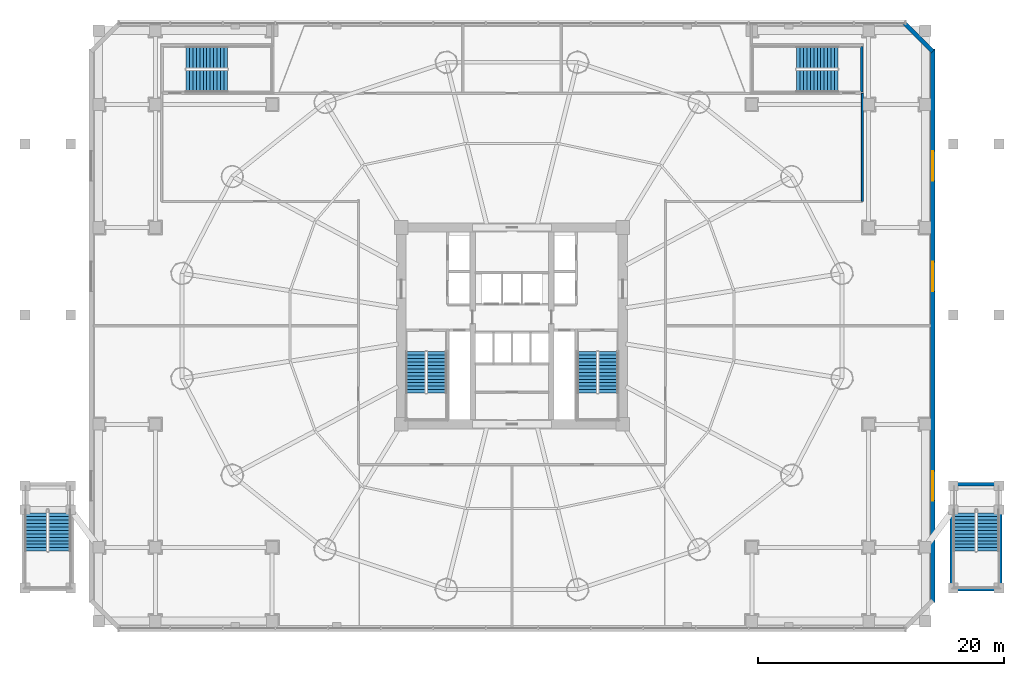
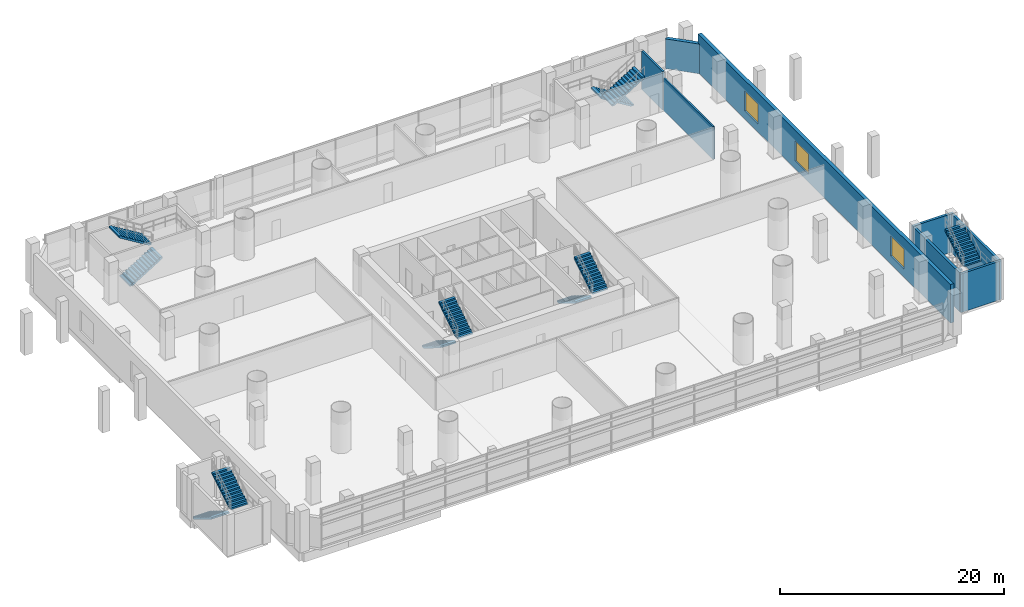
# One storey, part 24 of 36: 12 stair flights, 8 walls, 3 windows, 3 openings, 6 elements without a shape of their own.
"""IFC4 building model written with IfcOpenShell, lengths in metres."""

from ifc_helpers import new_model, si_unit, direction, frame, frame_2d, origin, place, context, subcontext, project, spatial, polyline, rectangle, outline, extrude, source, transform, mapped, material, layer, layer_set, type_object, element, fill, aggregate, save


model = new_model("IFC4")

# Units and contexts
model_context = context("Model", 3, precision=1e-05, world=origin(), true_north=direction((-0.2419218956, 0.970295726276)))
body_context = subcontext(model_context, "Body", "Model", "MODEL_VIEW")
ifc_project = project(units=[si_unit("LENGTHUNIT", "METRE"), si_unit("AREAUNIT", "SQUARE_METRE"), si_unit("VOLUMEUNIT", "CUBIC_METRE"), si_unit("PLANEANGLEUNIT", "RADIAN"), si_unit("MASSUNIT", "GRAM", prefix="KILO")], contexts=[model_context])

# Site, building, storey
site_placement = place(None, origin())
site = spatial("IfcSite", under=ifc_project, at=site_placement, CompositionType="ELEMENT")
building_placement = place(site_placement, origin())
building = spatial("IfcBuilding", under=site, at=building_placement, Name="Cobrevalo Terracotta Tower", CompositionType="ELEMENT")
storey_placement = place(building_placement, frame((0.0, 0.0, 5.39990234375)))
storey = spatial("IfcBuildingStorey", under=building, at=storey_placement, Name="L01", CompositionType="ELEMENT", Elevation=5.39990234375)

# Wall, openings, windows
ifc_material_1 = material(Name="Concrete C45", Category="concrete")
ifc_layer_1 = layer(ifc_material_1, 0.35009765625)
ifc_layer_set_1 = layer_set([ifc_layer_1], Name="Concrete C45")
wall_type_1 = type_object("IfcWallType", Name="Board-marked precast architectural concrete facade wall 350 mm", PredefinedType="SOLIDWALL", material=ifc_layer_set_1)
wall_1_placement = place(storey_placement, frame((72.199951171875, 4.300048828125, 0.0), z_axis=(0.0, 0.0, 1.0), x_axis=(0.0, 1.0, 0.0)))
wall_1 = element("IfcWall", 1, at=wall_1_placement, inside=storey, type_object=wall_type_1, Name="L01 east podium facade wall", PredefinedType="SOLIDWALL", context=body_context, shape_type="SweptSolid", body=[
    extrude(rectangle(XDim=45.0, YDim=0.35009765625, at=frame_2d((22.5, 0.0))), origin(), (0.0, 0.0, 1.0), 4.2001953125),
])
opening_1_placement = place(wall_1_placement, frame((8.300048828125, 0.0, 0.85009765625)))
opening_1 = element("IfcOpeningElement", 2, at=opening_1_placement, cuts=wall_1, Name="Opening WN-09", PredefinedType="OPENING", context=body_context, shape_type="SweptSolid", body=[
    extrude(rectangle(XDim=2.39990234375, YDim=2.199951171875, at=frame_2d((1.199951171875, 1.10009765625))), frame((0.0, 0.18505859375, 0.0), z_axis=(0.0, -1.0, 0.0), x_axis=(1.0, 0.0, 0.0)), (0.0, 0.0, 1.0), 0.3701171875),
])
opening_2_placement = place(wall_1_placement, frame((25.300048828125, 0.0, 0.85009765625)))
opening_2 = element("IfcOpeningElement", 3, at=opening_2_placement, cuts=wall_1, Name="Opening WN-09", PredefinedType="OPENING", context=body_context, shape_type="SweptSolid", body=[
    extrude(rectangle(XDim=2.39990234375, YDim=2.199951171875, at=frame_2d((1.199951171875, 1.10009765625))), frame((0.0, 0.18505859375, 0.0), z_axis=(0.0, -1.0, 0.0), x_axis=(1.0, 0.0, 0.0)), (0.0, 0.0, 1.0), 0.3701171875),
])
opening_3_placement = place(wall_1_placement, frame((34.300048828125, 0.0, 0.85009765625)))
opening_3 = element("IfcOpeningElement", 4, at=opening_3_placement, cuts=wall_1, Name="Opening WN-09", PredefinedType="OPENING", context=body_context, shape_type="SweptSolid", body=[
    extrude(rectangle(XDim=2.39990234375, YDim=2.199951171875, at=frame_2d((1.199951171875, 1.10009765625))), frame((0.0, 0.18505859375, 0.0), z_axis=(0.0, -1.0, 0.0), x_axis=(1.0, 0.0, 0.0)), (0.0, 0.0, 1.0), 0.3701171875),
])
ifc_material_2 = material(Name="Solar-control low-E double glazing", Category="glass")
window_type = type_object("IfcWindowType", Name="Podium upper gallery bronze-anodized window 2400x2200", PartitioningType="SINGLE_PANEL", PredefinedType="WINDOW", material=ifc_material_2)
shared_shape = source(origin(), body_context, "Body", "SweptSolid", [
    extrude(rectangle(XDim=2.39990234375, YDim=2.199951171875, at=frame_2d((1.199951171875, 1.10009765625))), frame((0.0, 0.030029296875, 0.0), z_axis=(0.0, -1.0, 0.0), x_axis=(1.0, 0.0, 0.0)), (0.0, 0.0, 1.0), 0.06005859375),
])
window_1_placement = place(opening_1_placement, origin())
window_1 = element("IfcWindow", 5, at=window_1_placement, inside=storey, type_object=window_type, Name="L01 east gallery window 1", OverallHeight=2.199951171875, OverallWidth=2.39990234375, PartitioningType="SINGLE_PANEL", PredefinedType="WINDOW", context=body_context, shape_type="MappedRepresentation", body=[
    mapped(shared_shape, transform((0.0, 0.0, 0.0), scale=1.0)),
])
fill(opening_1, window_1)
window_2_placement = place(opening_2_placement, origin())
window_2 = element("IfcWindow", 6, at=window_2_placement, inside=storey, type_object=window_type, Name="L01 east gallery window 2", OverallHeight=2.199951171875, OverallWidth=2.39990234375, PartitioningType="SINGLE_PANEL", PredefinedType="WINDOW", context=body_context, shape_type="MappedRepresentation", body=[
    mapped(shared_shape, transform((0.0, 0.0, 0.0), scale=1.0)),
])
fill(opening_2, window_2)
window_3_placement = place(opening_3_placement, origin())
window_3 = element("IfcWindow", 7, at=window_3_placement, inside=storey, type_object=window_type, Name="L01 east gallery window 3", OverallHeight=2.199951171875, OverallWidth=2.39990234375, PartitioningType="SINGLE_PANEL", PredefinedType="WINDOW", context=body_context, shape_type="MappedRepresentation", body=[
    mapped(shared_shape, transform((0.0, 0.0, 0.0), scale=1.0)),
])
fill(opening_3, window_3)

# Walls
wall_2_placement = place(storey_placement, frame((72.199951171875, 49.1201171875, 0.0), z_axis=(0.0, 0.0, 1.0), x_axis=(-0.707144639935, 0.707068920411, 0.0)))
element("IfcWall", 8, at=wall_2_placement, inside=storey, type_object=wall_type_1, Name="L01 chamfered corner pier NE", PredefinedType="SOLIDWALL", context=body_context, shape_type="SweptSolid", body=[
    extrude(rectangle(XDim=3.224365234375, YDim=0.35009765625, at=frame_2d((1.6123046875, 0.0))), origin(), (0.0, 0.0, 1.0), 3.235107421875),
])
ifc_material_3 = material(Name="Concrete C50", Category="concrete")
ifc_layer_2 = layer(ifc_material_3, 0.25)
ifc_layer_set_2 = layer_set([ifc_layer_2], Name="Concrete C50")
wall_type_2 = type_object("IfcWallType", Name="Exterior raised-garden stair shaft RC wall 250 mm Concrete C50", PredefinedType="SOLIDWALL", material=ifc_layer_set_2)
for number, where, z_axis, x_axis, name in (
    (9, (73.7548828125, 5.25, 0.0), (0.0, 0.0, 1.0), (0.0, 1.0, 0.0), "L01 East monumental raised-garden stair structural shaft wall W"),
    (10, (77.72509765625, 5.25, 0.0), (0.0, 0.0, 1.0), (0.0, 1.0, 0.0), "L01 East monumental raised-garden stair structural shaft wall E"),
):
    element("IfcWall", number, at=place(storey_placement, frame(where, z_axis=z_axis, x_axis=x_axis)), inside=storey, type_object=wall_type_2, Name=name, PredefinedType="SOLIDWALL", context=body_context, shape_type="SweptSolid", body=[
        extrude(rectangle(XDim=8.675048828125, YDim=0.25, at=frame_2d((4.33740234375, 0.0))), origin(), (0.0, 0.0, 1.0), 4.2001953125),
    ])
for number, where, z_axis, x_axis, name in (
    (11, (73.6298828125, 5.375, 0.0), (0.0, 0.0, 1.0), (1.0, 0.0, 0.0), "L01 East monumental raised-garden stair structural shaft wall S"),
    (12, (73.6298828125, 13.925048828125, 0.0), (0.0, 0.0, 1.0), (1.0, 0.0, 0.0), "L01 East monumental raised-garden stair structural shaft wall N"),
):
    element("IfcWall", number, at=place(storey_placement, frame(where, z_axis=z_axis, x_axis=x_axis)), inside=storey, type_object=wall_type_2, Name=name, PredefinedType="SOLIDWALL", context=body_context, shape_type="SweptSolid", body=[
        extrude(rectangle(XDim=4.22021484375, YDim=0.25, at=frame_2d((2.110107421875, 0.0))), origin(), (0.0, 0.0, 1.0), 4.2001953125),
    ])
ifc_material_4 = material(Name="Gypsum board on steel stud", Category="steel")
ifc_layer_3 = layer(ifc_material_4, 0.159912109375)
ifc_layer_set_3 = layer_set([ifc_layer_3], Name="Gypsum board on steel stud")
wall_type_3 = type_object("IfcWallType", Name="Fire-rated corridor acoustic partition wall 160 mm", PredefinedType="PARTITIONING", material=ifc_layer_set_3)
wall_3_placement = place(storey_placement, frame((66.47998046875, 36.919921875, 0.0), z_axis=(0.0, 0.0, 1.0), x_axis=(0.0, 1.0, 0.0)))
element("IfcWall", 13, at=wall_3_placement, inside=storey, type_object=wall_type_3, Name="L01 interior partition IW-L01-PC-NE", PredefinedType="PARTITIONING", context=body_context, shape_type="SweptSolid", body=[
    extrude(rectangle(XDim=8.780029296875, YDim=0.159912109375, at=frame_2d((4.39013671875, 0.0))), origin(), (0.0, 0.0, 1.0), 3.569091796875),
])
ifc_layer_4 = layer(ifc_material_3, 0.199951171875)
ifc_layer_set_4 = layer_set([ifc_layer_4], Name="Concrete C50")
wall_type_4 = type_object("IfcWallType", Name="Structural core & podium stair-shaft RC wall 200 mm Concrete C50", PredefinedType="SOLIDWALL", material=ifc_layer_set_4)
wall_4_placement = place(storey_placement, frame((66.449951171875, 45.800048828125, 0.0), z_axis=(0.0, 0.0, 1.0), x_axis=(0.0, 1.0, 0.0)))
element("IfcWall", 14, at=wall_4_placement, inside=storey, type_object=wall_type_4, Name="L01 STP2 east structural shaft wall", PredefinedType="SOLIDWALL", context=body_context, shape_type="SweptSolid", body=[
    extrude(rectangle(XDim=3.719970703125, YDim=0.199951171875, at=frame_2d((1.85986328125, 0.0))), origin(), (0.0, 0.0, 1.0), 4.2001953125),
])

# Stair, stair flights
stair_type_1 = type_object("IfcStairType", Name="Core protected escape dogleg stair 1600", PredefinedType="HALF_TURN_STAIR", material=ifc_material_3)
stair_1_placement = place(storey_placement, origin())
stair_1 = element("IfcStair", 15, at=stair_1_placement, inside=storey, type_object=stair_type_1, Name="L01 Protected exit stair ST-1", PredefinedType="HALF_TURN_STAIR")
stair_flight_type_1 = type_object("IfcStairFlightType", Name="Core protected escape dogleg stair 1600 flight", PredefinedType="STRAIGHT", material=ifc_material_3)
stair_flight_1_placement = place(storey_placement, frame((30.175048828125, 24.699951171875, 0.0), z_axis=(0.0, 0.0, 1.0), x_axis=(0.0, -1.0, 0.0)))
stair_flight_1 = element("IfcStairFlight", 16, at=stair_flight_1_placement, type_object=stair_flight_type_1, Name="ST-1 flight 1", NumberOfRisers=13, NumberOfTreads=12, PredefinedType="STRAIGHT", RiserHeight=0.173076923, TreadLength=0.28, context=body_context, shape_type="SweptSolid", body=[
    extrude(outline(polyline([(0.0, 0.0), (0.0, 0.173095703125), (0.280029296875, 0.173095703125), (0.280029296875, 0.34619140625), (0.56005859375, 0.34619140625), (0.56005859375, 0.519287109375), (0.840087890625, 0.519287109375), (0.840087890625, 0.6923828125), (1.1201171875, 0.6923828125), (1.1201171875, 0.865478515625), (1.39990234375, 0.865478515625), (1.39990234375, 1.03857421875), (1.679931640625, 1.03857421875), (1.679931640625, 1.21142578125), (1.9599609375, 1.21142578125), (1.9599609375, 1.384521484375), (2.239990234375, 1.384521484375), (2.239990234375, 1.5576171875), (2.52001953125, 1.5576171875), (2.52001953125, 1.730712890625), (2.800048828125, 1.730712890625), (2.800048828125, 1.90380859375), (3.080078125, 1.90380859375), (3.080078125, 2.076904296875), (3.360107421875, 2.076904296875), (3.360107421875, 2.25), (3.360107421875, 1.888916015625), (0.30419921875, 0.0), (0.0, 0.0)])), frame((0.0, 0.800048828125, 0.0), z_axis=(0.0, -1.0, 0.0), x_axis=(1.0, 0.0, 0.0)), (0.0, 0.0, 1.0), 1.60009765625),
])
stair_flight_2_placement = place(storey_placement, frame((31.89501953125, 21.340087890625, 2.25), z_axis=(0.0, 0.0, 1.0), x_axis=(0.0, 1.0, 0.0)))
stair_flight_2 = element("IfcStairFlight", 17, at=stair_flight_2_placement, type_object=stair_flight_type_1, Name="ST-1 flight 2", NumberOfRisers=13, NumberOfTreads=12, PredefinedType="STRAIGHT", RiserHeight=0.173076923, TreadLength=0.28, context=body_context, shape_type="SweptSolid", body=[
    extrude(outline(polyline([(0.0, 0.0), (0.0, 0.173095703125), (0.280029296875, 0.173095703125), (0.280029296875, 0.34619140625), (0.56005859375, 0.34619140625), (0.56005859375, 0.519287109375), (0.840087890625, 0.519287109375), (0.840087890625, 0.6923828125), (1.1201171875, 0.6923828125), (1.1201171875, 0.865478515625), (1.39990234375, 0.865478515625), (1.39990234375, 1.03857421875), (1.679931640625, 1.03857421875), (1.679931640625, 1.21142578125), (1.9599609375, 1.21142578125), (1.9599609375, 1.384521484375), (2.239990234375, 1.384521484375), (2.239990234375, 1.5576171875), (2.52001953125, 1.5576171875), (2.52001953125, 1.730712890625), (2.800048828125, 1.730712890625), (2.800048828125, 1.90380859375), (3.080078125, 1.90380859375), (3.080078125, 2.076904296875), (3.360107421875, 2.076904296875), (3.360107421875, 2.25), (3.360107421875, 1.888916015625), (0.30419921875, 0.0), (0.0, 0.0)])), frame((0.0, 0.800048828125, 0.0), z_axis=(0.0, -1.0, 0.0), x_axis=(1.0, 0.0, 0.0)), (0.0, 0.0, 1.0), 1.60009765625),
])
aggregate(stair_1, [stair_flight_1, stair_flight_2])

stair_2_placement = place(storey_placement, origin())
stair_2 = element("IfcStair", 18, at=stair_2_placement, inside=storey, type_object=stair_type_1, Name="L01 Protected exit stair ST-2", PredefinedType="HALF_TURN_STAIR")
stair_flight_3_placement = place(storey_placement, frame((44.10498046875, 24.699951171875, 0.0), z_axis=(0.0, 0.0, 1.0), x_axis=(0.0, -1.0, 0.0)))
stair_flight_3 = element("IfcStairFlight", 19, at=stair_flight_3_placement, type_object=stair_flight_type_1, Name="ST-2 flight 1", NumberOfRisers=13, NumberOfTreads=12, PredefinedType="STRAIGHT", RiserHeight=0.173076923, TreadLength=0.28, context=body_context, shape_type="SweptSolid", body=[
    extrude(outline(polyline([(0.0, 0.0), (0.0, 0.173095703125), (0.280029296875, 0.173095703125), (0.280029296875, 0.34619140625), (0.56005859375, 0.34619140625), (0.56005859375, 0.519287109375), (0.840087890625, 0.519287109375), (0.840087890625, 0.6923828125), (1.1201171875, 0.6923828125), (1.1201171875, 0.865478515625), (1.39990234375, 0.865478515625), (1.39990234375, 1.03857421875), (1.679931640625, 1.03857421875), (1.679931640625, 1.21142578125), (1.9599609375, 1.21142578125), (1.9599609375, 1.384521484375), (2.239990234375, 1.384521484375), (2.239990234375, 1.5576171875), (2.52001953125, 1.5576171875), (2.52001953125, 1.730712890625), (2.800048828125, 1.730712890625), (2.800048828125, 1.90380859375), (3.080078125, 1.90380859375), (3.080078125, 2.076904296875), (3.360107421875, 2.076904296875), (3.360107421875, 2.25), (3.360107421875, 1.888916015625), (0.30419921875, 0.0), (0.0, 0.0)])), frame((0.0, 0.800048828125, 0.0), z_axis=(0.0, -1.0, 0.0), x_axis=(1.0, 0.0, 0.0)), (0.0, 0.0, 1.0), 1.60009765625),
])
stair_flight_4_placement = place(storey_placement, frame((45.824951171875, 21.340087890625, 2.25), z_axis=(0.0, 0.0, 1.0), x_axis=(0.0, 1.0, 0.0)))
stair_flight_4 = element("IfcStairFlight", 20, at=stair_flight_4_placement, type_object=stair_flight_type_1, Name="ST-2 flight 2", NumberOfRisers=13, NumberOfTreads=12, PredefinedType="STRAIGHT", RiserHeight=0.173076923, TreadLength=0.28, context=body_context, shape_type="SweptSolid", body=[
    extrude(outline(polyline([(0.0, 0.0), (0.0, 0.173095703125), (0.280029296875, 0.173095703125), (0.280029296875, 0.34619140625), (0.56005859375, 0.34619140625), (0.56005859375, 0.519287109375), (0.840087890625, 0.519287109375), (0.840087890625, 0.6923828125), (1.1201171875, 0.6923828125), (1.1201171875, 0.865478515625), (1.39990234375, 0.865478515625), (1.39990234375, 1.03857421875), (1.679931640625, 1.03857421875), (1.679931640625, 1.21142578125), (1.9599609375, 1.21142578125), (1.9599609375, 1.384521484375), (2.239990234375, 1.384521484375), (2.239990234375, 1.5576171875), (2.52001953125, 1.5576171875), (2.52001953125, 1.730712890625), (2.800048828125, 1.730712890625), (2.800048828125, 1.90380859375), (3.080078125, 1.90380859375), (3.080078125, 2.076904296875), (3.360107421875, 2.076904296875), (3.360107421875, 2.25), (3.360107421875, 1.888916015625), (0.30419921875, 0.0), (0.0, 0.0)])), frame((0.0, 0.800048828125, 0.0), z_axis=(0.0, -1.0, 0.0), x_axis=(1.0, 0.0, 0.0)), (0.0, 0.0, 1.0), 1.60009765625),
])
aggregate(stair_2, [stair_flight_3, stair_flight_4])

ifc_material_5 = material(Name="Precast concrete C45", Category="concrete")
stair_type_2 = type_object("IfcStairType", Name="Monumental raised-garden dogleg stair 1850", PredefinedType="HALF_TURN_STAIR", material=ifc_material_5)
stair_3_placement = place(storey_placement, origin())
stair_3 = element("IfcStair", 21, at=stair_3_placement, inside=storey, type_object=stair_type_2, Name="L01 West monumental raised-garden stair", PredefinedType="HALF_TURN_STAIR")
stair_flight_type_2 = type_object("IfcStairFlightType", Name="Monumental raised-garden dogleg stair 1850 flight", PredefinedType="STRAIGHT", material=ifc_material_5)
stair_flight_5_placement = place(storey_placement, frame((-0.699951171875, 11.85009765625, 0.0), z_axis=(0.0, 0.0, 1.0), x_axis=(0.0, -1.0, 0.0)))
stair_flight_5 = element("IfcStairFlight", 22, at=stair_flight_5_placement, type_object=stair_flight_type_2, Name="ST-EXT-W flight 1", NumberOfRisers=13, NumberOfTreads=12, PredefinedType="STRAIGHT", RiserHeight=0.173076923, TreadLength=0.28, context=body_context, shape_type="SweptSolid", body=[
    extrude(outline(polyline([(0.0, 0.0), (0.0, 0.173095703125), (0.280029296875, 0.173095703125), (0.280029296875, 0.34619140625), (0.56005859375, 0.34619140625), (0.56005859375, 0.519287109375), (0.840087890625, 0.519287109375), (0.840087890625, 0.6923828125), (1.1201171875, 0.6923828125), (1.1201171875, 0.865478515625), (1.39990234375, 0.865478515625), (1.39990234375, 1.03857421875), (1.679931640625, 1.03857421875), (1.679931640625, 1.21142578125), (1.9599609375, 1.21142578125), (1.9599609375, 1.384521484375), (2.239990234375, 1.384521484375), (2.239990234375, 1.5576171875), (2.52001953125, 1.5576171875), (2.52001953125, 1.730712890625), (2.800048828125, 1.730712890625), (2.800048828125, 1.90380859375), (3.080078125, 1.90380859375), (3.080078125, 2.076904296875), (3.360107421875, 2.076904296875), (3.360107421875, 2.25), (3.360107421875, 1.888916015625), (0.30419921875, 0.0), (0.0, 0.0)])), frame((0.0, 0.89990234375, 0.0), z_axis=(0.0, -1.0, 0.0), x_axis=(1.0, 0.0, 0.0)), (0.0, 0.0, 1.0), 1.800048828125),
])
stair_flight_6_placement = place(storey_placement, frame((1.219970703125, 8.489990234375, 2.25), z_axis=(0.0, 0.0, 1.0), x_axis=(0.0, 1.0, 0.0)))
stair_flight_6 = element("IfcStairFlight", 23, at=stair_flight_6_placement, type_object=stair_flight_type_2, Name="ST-EXT-W flight 2", NumberOfRisers=13, NumberOfTreads=12, PredefinedType="STRAIGHT", RiserHeight=0.173076923, TreadLength=0.28, context=body_context, shape_type="SweptSolid", body=[
    extrude(outline(polyline([(0.0, 0.0), (0.0, 0.173095703125), (0.280029296875, 0.173095703125), (0.280029296875, 0.34619140625), (0.56005859375, 0.34619140625), (0.56005859375, 0.519287109375), (0.840087890625, 0.519287109375), (0.840087890625, 0.6923828125), (1.1201171875, 0.6923828125), (1.1201171875, 0.865478515625), (1.39990234375, 0.865478515625), (1.39990234375, 1.03857421875), (1.679931640625, 1.03857421875), (1.679931640625, 1.21142578125), (1.9599609375, 1.21142578125), (1.9599609375, 1.384521484375), (2.239990234375, 1.384521484375), (2.239990234375, 1.5576171875), (2.52001953125, 1.5576171875), (2.52001953125, 1.730712890625), (2.800048828125, 1.730712890625), (2.800048828125, 1.90380859375), (3.080078125, 1.90380859375), (3.080078125, 2.076904296875), (3.360107421875, 2.076904296875), (3.360107421875, 2.25), (3.360107421875, 1.888916015625), (0.30419921875, 0.0), (0.0, 0.0)])), frame((0.0, 0.89990234375, 0.0), z_axis=(0.0, -1.0, 0.0), x_axis=(1.0, 0.0, 0.0)), (0.0, 0.0, 1.0), 1.800048828125),
])
aggregate(stair_3, [stair_flight_5, stair_flight_6])

stair_4_placement = place(storey_placement, origin())
stair_4 = element("IfcStair", 24, at=stair_4_placement, inside=storey, type_object=stair_type_2, Name="L01 East monumental raised-garden stair", PredefinedType="HALF_TURN_STAIR")
stair_flight_7_placement = place(storey_placement, frame((74.780029296875, 11.85009765625, 0.0), z_axis=(0.0, 0.0, 1.0), x_axis=(0.0, -1.0, 0.0)))
stair_flight_7 = element("IfcStairFlight", 25, at=stair_flight_7_placement, type_object=stair_flight_type_2, Name="ST-EXT-E flight 1", NumberOfRisers=13, NumberOfTreads=12, PredefinedType="STRAIGHT", RiserHeight=0.173076923, TreadLength=0.28, context=body_context, shape_type="SweptSolid", body=[
    extrude(outline(polyline([(0.0, 0.0), (0.0, 0.173095703125), (0.280029296875, 0.173095703125), (0.280029296875, 0.34619140625), (0.56005859375, 0.34619140625), (0.56005859375, 0.519287109375), (0.840087890625, 0.519287109375), (0.840087890625, 0.6923828125), (1.1201171875, 0.6923828125), (1.1201171875, 0.865478515625), (1.39990234375, 0.865478515625), (1.39990234375, 1.03857421875), (1.679931640625, 1.03857421875), (1.679931640625, 1.21142578125), (1.9599609375, 1.21142578125), (1.9599609375, 1.384521484375), (2.239990234375, 1.384521484375), (2.239990234375, 1.5576171875), (2.52001953125, 1.5576171875), (2.52001953125, 1.730712890625), (2.800048828125, 1.730712890625), (2.800048828125, 1.90380859375), (3.080078125, 1.90380859375), (3.080078125, 2.076904296875), (3.360107421875, 2.076904296875), (3.360107421875, 2.25), (3.360107421875, 1.888916015625), (0.30419921875, 0.0), (0.0, 0.0)])), frame((0.0, 0.89990234375, 0.0), z_axis=(0.0, -1.0, 0.0), x_axis=(1.0, 0.0, 0.0)), (0.0, 0.0, 1.0), 1.800048828125),
])
stair_flight_8_placement = place(storey_placement, frame((76.699951171875, 8.489990234375, 2.25), z_axis=(0.0, 0.0, 1.0), x_axis=(0.0, 1.0, 0.0)))
stair_flight_8 = element("IfcStairFlight", 26, at=stair_flight_8_placement, type_object=stair_flight_type_2, Name="ST-EXT-E flight 2", NumberOfRisers=13, NumberOfTreads=12, PredefinedType="STRAIGHT", RiserHeight=0.173076923, TreadLength=0.28, context=body_context, shape_type="SweptSolid", body=[
    extrude(outline(polyline([(0.0, 0.0), (0.0, 0.173095703125), (0.280029296875, 0.173095703125), (0.280029296875, 0.34619140625), (0.56005859375, 0.34619140625), (0.56005859375, 0.519287109375), (0.840087890625, 0.519287109375), (0.840087890625, 0.6923828125), (1.1201171875, 0.6923828125), (1.1201171875, 0.865478515625), (1.39990234375, 0.865478515625), (1.39990234375, 1.03857421875), (1.679931640625, 1.03857421875), (1.679931640625, 1.21142578125), (1.9599609375, 1.21142578125), (1.9599609375, 1.384521484375), (2.239990234375, 1.384521484375), (2.239990234375, 1.5576171875), (2.52001953125, 1.5576171875), (2.52001953125, 1.730712890625), (2.800048828125, 1.730712890625), (2.800048828125, 1.90380859375), (3.080078125, 1.90380859375), (3.080078125, 2.076904296875), (3.360107421875, 2.076904296875), (3.360107421875, 2.25), (3.360107421875, 1.888916015625), (0.30419921875, 0.0), (0.0, 0.0)])), frame((0.0, 0.89990234375, 0.0), z_axis=(0.0, -1.0, 0.0), x_axis=(1.0, 0.0, 0.0)), (0.0, 0.0, 1.0), 1.800048828125),
])
aggregate(stair_4, [stair_flight_7, stair_flight_8])

stair_type_3 = type_object("IfcStairType", Name="Podium concourse escape dogleg stair 1800", PredefinedType="HALF_TURN_STAIR", material=ifc_material_3)
stair_5_placement = place(storey_placement, origin())
stair_5 = element("IfcStair", 27, at=stair_5_placement, inside=storey, type_object=stair_type_3, Name="L01 Protected exit stair ST-P1", PredefinedType="HALF_TURN_STAIR")
stair_flight_type_3 = type_object("IfcStairFlightType", Name="Podium concourse escape dogleg stair 1800 flight", PredefinedType="STRAIGHT", material=ifc_material_3)
stair_flight_9_placement = place(storey_placement, frame((11.5, 46.699951171875, 0.0), z_axis=(0.0, 0.0, 1.0), x_axis=(1.0, 0.0, 0.0)))
stair_flight_9 = element("IfcStairFlight", 28, at=stair_flight_9_placement, type_object=stair_flight_type_3, Name="ST-P1 flight 1", NumberOfRisers=13, NumberOfTreads=12, PredefinedType="STRAIGHT", RiserHeight=0.173076923, TreadLength=0.28, context=body_context, shape_type="SweptSolid", body=[
    extrude(outline(polyline([(0.0, 0.0), (0.0, 0.173095703125), (0.280029296875, 0.173095703125), (0.280029296875, 0.34619140625), (0.56005859375, 0.34619140625), (0.56005859375, 0.519287109375), (0.840087890625, 0.519287109375), (0.840087890625, 0.6923828125), (1.1201171875, 0.6923828125), (1.1201171875, 0.865478515625), (1.39990234375, 0.865478515625), (1.39990234375, 1.03857421875), (1.679931640625, 1.03857421875), (1.679931640625, 1.21142578125), (1.9599609375, 1.21142578125), (1.9599609375, 1.384521484375), (2.239990234375, 1.384521484375), (2.239990234375, 1.5576171875), (2.52001953125, 1.5576171875), (2.52001953125, 1.730712890625), (2.800048828125, 1.730712890625), (2.800048828125, 1.90380859375), (3.080078125, 1.90380859375), (3.080078125, 2.076904296875), (3.360107421875, 2.076904296875), (3.360107421875, 2.25), (3.360107421875, 1.888916015625), (0.30419921875, 0.0), (0.0, 0.0)])), frame((0.0, 0.89990234375, 0.0), z_axis=(0.0, -1.0, 0.0), x_axis=(1.0, 0.0, 0.0)), (0.0, 0.0, 1.0), 1.800048828125),
])
stair_flight_10_placement = place(storey_placement, frame((14.860107421875, 48.6201171875, 2.25), z_axis=(0.0, 0.0, 1.0), x_axis=(-1.0, 0.0, 0.0)))
stair_flight_10 = element("IfcStairFlight", 29, at=stair_flight_10_placement, type_object=stair_flight_type_3, Name="ST-P1 flight 2", NumberOfRisers=13, NumberOfTreads=12, PredefinedType="STRAIGHT", RiserHeight=0.173076923, TreadLength=0.28, context=body_context, shape_type="SweptSolid", body=[
    extrude(outline(polyline([(0.0, 0.0), (0.0, 0.173095703125), (0.280029296875, 0.173095703125), (0.280029296875, 0.34619140625), (0.56005859375, 0.34619140625), (0.56005859375, 0.519287109375), (0.840087890625, 0.519287109375), (0.840087890625, 0.6923828125), (1.1201171875, 0.6923828125), (1.1201171875, 0.865478515625), (1.39990234375, 0.865478515625), (1.39990234375, 1.03857421875), (1.679931640625, 1.03857421875), (1.679931640625, 1.21142578125), (1.9599609375, 1.21142578125), (1.9599609375, 1.384521484375), (2.239990234375, 1.384521484375), (2.239990234375, 1.5576171875), (2.52001953125, 1.5576171875), (2.52001953125, 1.730712890625), (2.800048828125, 1.730712890625), (2.800048828125, 1.90380859375), (3.080078125, 1.90380859375), (3.080078125, 2.076904296875), (3.360107421875, 2.076904296875), (3.360107421875, 2.25), (3.360107421875, 1.888916015625), (0.30419921875, 0.0), (0.0, 0.0)])), frame((0.0, 0.89990234375, 0.0), z_axis=(0.0, -1.0, 0.0), x_axis=(1.0, 0.0, 0.0)), (0.0, 0.0, 1.0), 1.800048828125),
])
aggregate(stair_5, [stair_flight_9, stair_flight_10])

stair_6_placement = place(storey_placement, origin())
stair_6 = element("IfcStair", 30, at=stair_6_placement, inside=storey, type_object=stair_type_3, Name="L01 Protected exit stair ST-P2", PredefinedType="HALF_TURN_STAIR")
stair_flight_11_placement = place(storey_placement, frame((64.5, 48.6201171875, 0.0), z_axis=(0.0, 0.0, 1.0), x_axis=(-1.0, 0.0, 0.0)))
stair_flight_11 = element("IfcStairFlight", 31, at=stair_flight_11_placement, type_object=stair_flight_type_3, Name="ST-P2 flight 1", NumberOfRisers=13, NumberOfTreads=12, PredefinedType="STRAIGHT", RiserHeight=0.173076923, TreadLength=0.28, context=body_context, shape_type="SweptSolid", body=[
    extrude(outline(polyline([(0.0, 0.0), (0.0, 0.173095703125), (0.280029296875, 0.173095703125), (0.280029296875, 0.34619140625), (0.56005859375, 0.34619140625), (0.56005859375, 0.519287109375), (0.840087890625, 0.519287109375), (0.840087890625, 0.6923828125), (1.1201171875, 0.6923828125), (1.1201171875, 0.865478515625), (1.39990234375, 0.865478515625), (1.39990234375, 1.03857421875), (1.679931640625, 1.03857421875), (1.679931640625, 1.21142578125), (1.9599609375, 1.21142578125), (1.9599609375, 1.384521484375), (2.239990234375, 1.384521484375), (2.239990234375, 1.5576171875), (2.52001953125, 1.5576171875), (2.52001953125, 1.730712890625), (2.800048828125, 1.730712890625), (2.800048828125, 1.90380859375), (3.080078125, 1.90380859375), (3.080078125, 2.076904296875), (3.360107421875, 2.076904296875), (3.360107421875, 2.25), (3.360107421875, 1.888916015625), (0.30419921875, 0.0), (0.0, 0.0)])), frame((0.0, 0.89990234375, 0.0), z_axis=(0.0, -1.0, 0.0), x_axis=(1.0, 0.0, 0.0)), (0.0, 0.0, 1.0), 1.800048828125),
])
stair_flight_12_placement = place(storey_placement, frame((61.139892578125, 46.699951171875, 2.25), z_axis=(0.0, 0.0, 1.0), x_axis=(1.0, 0.0, 0.0)))
stair_flight_12 = element("IfcStairFlight", 32, at=stair_flight_12_placement, type_object=stair_flight_type_3, Name="ST-P2 flight 2", NumberOfRisers=13, NumberOfTreads=12, PredefinedType="STRAIGHT", RiserHeight=0.173076923, TreadLength=0.28, context=body_context, shape_type="SweptSolid", body=[
    extrude(outline(polyline([(0.0, 0.0), (0.0, 0.173095703125), (0.280029296875, 0.173095703125), (0.280029296875, 0.34619140625), (0.56005859375, 0.34619140625), (0.56005859375, 0.519287109375), (0.840087890625, 0.519287109375), (0.840087890625, 0.6923828125), (1.1201171875, 0.6923828125), (1.1201171875, 0.865478515625), (1.39990234375, 0.865478515625), (1.39990234375, 1.03857421875), (1.679931640625, 1.03857421875), (1.679931640625, 1.21142578125), (1.9599609375, 1.21142578125), (1.9599609375, 1.384521484375), (2.239990234375, 1.384521484375), (2.239990234375, 1.5576171875), (2.52001953125, 1.5576171875), (2.52001953125, 1.730712890625), (2.800048828125, 1.730712890625), (2.800048828125, 1.90380859375), (3.080078125, 1.90380859375), (3.080078125, 2.076904296875), (3.360107421875, 2.076904296875), (3.360107421875, 2.25), (3.360107421875, 1.888916015625), (0.30419921875, 0.0), (0.0, 0.0)])), frame((0.0, 0.89990234375, 0.0), z_axis=(0.0, -1.0, 0.0), x_axis=(1.0, 0.0, 0.0)), (0.0, 0.0, 1.0), 1.800048828125),
])
aggregate(stair_6, [stair_flight_11, stair_flight_12])

save(model, "model.ifc")
